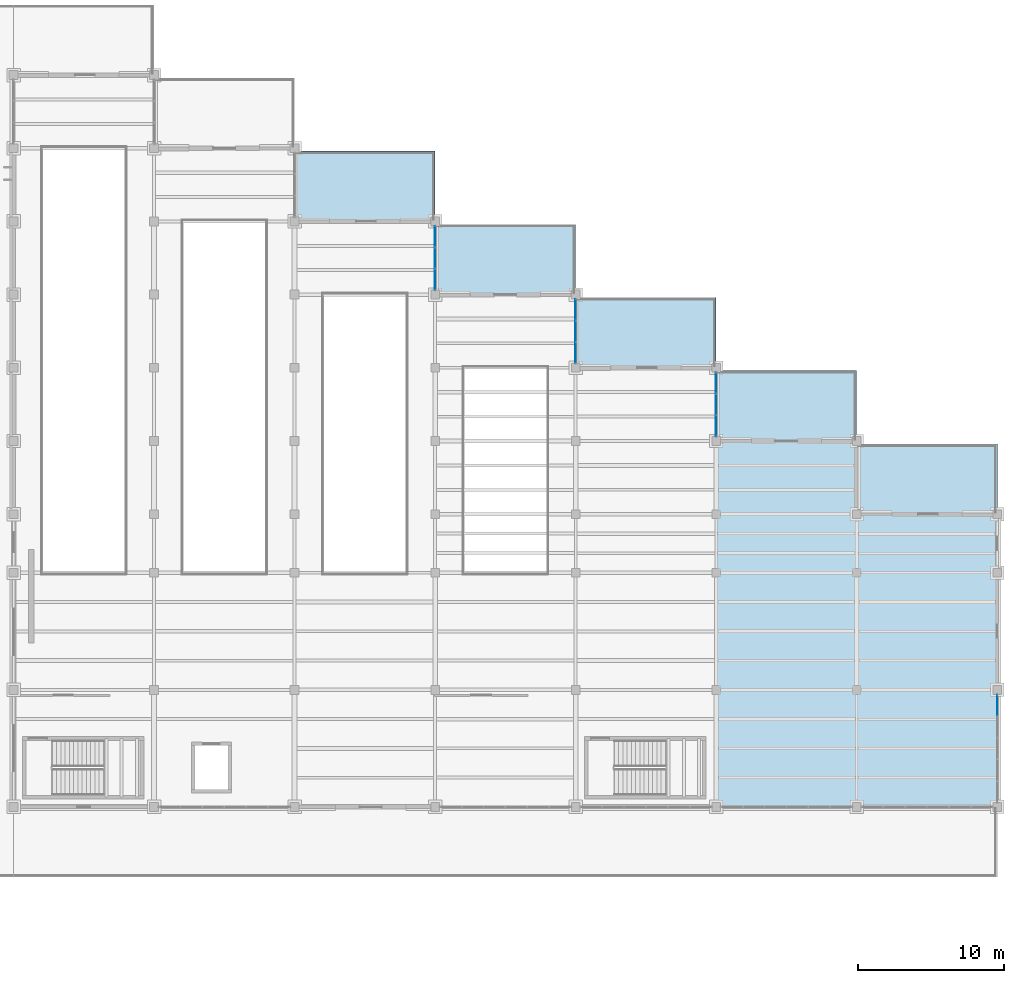
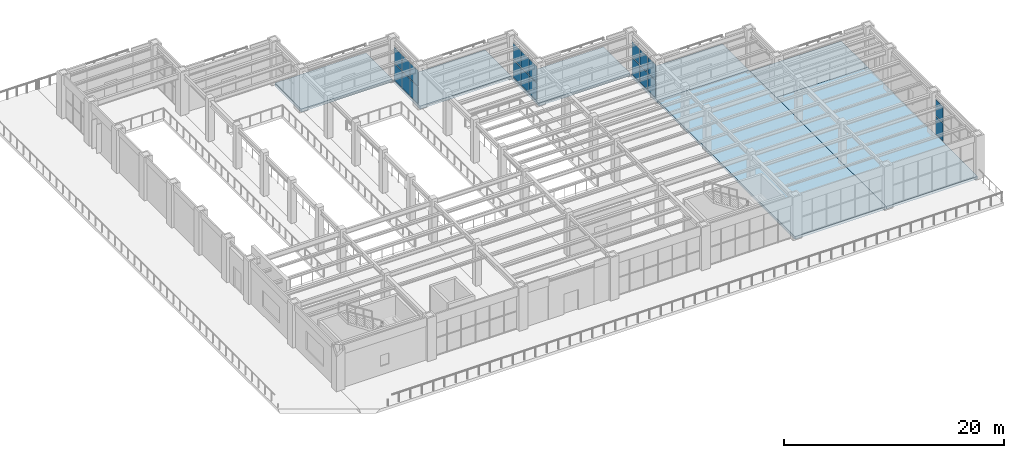
# One storey, part 54 of 83: 20 plates, 7 slabs, 4 elements without a shape of their own.
"""IFC4 building model written with IfcOpenShell, lengths in metres."""

from ifc_helpers import new_model, si_unit, direction, frame, origin, origin_2d, place, context, subcontext, project, spatial, polyline, rectangle, outline, extrude, material, layer, layer_set, type_object, element, aggregate, save


model = new_model("IFC4")

# Units and contexts
model_context = context("Model", 3, precision=1e-05, world=origin(), true_north=direction((0.0, 1.0)))
body_context = subcontext(model_context, "Body", "Model", "MODEL_VIEW")
ifc_project = project(units=[si_unit("LENGTHUNIT", "METRE"), si_unit("AREAUNIT", "SQUARE_METRE"), si_unit("VOLUMEUNIT", "CUBIC_METRE"), si_unit("PLANEANGLEUNIT", "RADIAN"), si_unit("MASSUNIT", "GRAM", prefix="KILO")], contexts=[model_context])

# Site, building, storey
site_placement = place(None, origin())
site = spatial("IfcSite", under=ifc_project, at=site_placement, CompositionType="ELEMENT")
building_placement = place(site_placement, origin())
building = spatial("IfcBuilding", under=site, at=building_placement, Name="Mavantir Sound Aquarium", CompositionType="ELEMENT")
storey_placement = place(building_placement, frame((0.0, 0.0, 10.5)))
storey = spatial("IfcBuildingStorey", under=building, at=storey_placement, Name="L02", CompositionType="ELEMENT", Elevation=10.5)

# Curtain wall, plates
ifc_material_1 = material(Name="Anodised Marine Aluminium and Low-E Glass", Category="aluminium")
curtain_wall_type_1 = type_object("IfcCurtainWallType", Name="CW-T09", PredefinedType="USERDEFINED", material=ifc_material_1)
curtain_wall_1_placement = place(storey_placement, origin())
curtain_wall_1 = element("IfcCurtainWall", 1, at=curtain_wall_1_placement, inside=storey, type_object=curtain_wall_type_1, Name="L02 unitised curtain wall CW-09 129", ObjectType="UNITISED GLAZING", PredefinedType="USERDEFINED")
ifc_material_2 = material(Name="Solar-Control Laminated Low-E Glass", Category="glass")
ifc_layer_1 = layer(ifc_material_2, 0.028076171875, Name="Solar-Control Laminated Low-E Glass")
ifc_layer_set_1 = layer_set([ifc_layer_1], Name="Solar-Control Laminated Low-E Glass")
plate_type_1 = type_object("IfcPlateType", Name="CW-PNL-28", PredefinedType="CURTAIN_PANEL", material=ifc_layer_set_1)
plate_1_placement = place(storey_placement, frame((146.39990234375, 71.838623046875, 0.10302734375), z_axis=(0.0, 0.0, 1.0), x_axis=(0.0, 1.0, 0.0)))
plate_1 = element("IfcPlate", 2, at=plate_1_placement, type_object=plate_type_1, Name="CW-L02-129 glazed curtain panel 1.1", PredefinedType="CURTAIN_PANEL", context=body_context, shape_type="SweptSolid", body=[
    extrude(rectangle(XDim=1.413330078125, YDim=0.028076171875, at=origin_2d()), origin(), (0.0, 0.0, 1.0), 1.922119140625),
])
plate_2_placement = place(storey_placement, frame((146.39990234375, 71.838623046875, 2.121337890625), z_axis=(0.0, 0.0, 1.0), x_axis=(0.0, 1.0, 0.0)))
plate_2 = element("IfcPlate", 3, at=plate_2_placement, type_object=plate_type_1, Name="CW-L02-129 glazed curtain panel 1.2", PredefinedType="CURTAIN_PANEL", context=body_context, shape_type="SweptSolid", body=[
    extrude(rectangle(XDim=1.413330078125, YDim=0.028076171875, at=origin_2d()), origin(), (0.0, 0.0, 1.0), 1.7626953125),
])
plate_3_placement = place(storey_placement, frame((146.39990234375, 73.300048828125, 0.10302734375), z_axis=(0.0, 0.0, 1.0), x_axis=(0.0, 1.0, 0.0)))
plate_3 = element("IfcPlate", 4, at=plate_3_placement, type_object=plate_type_1, Name="CW-L02-129 glazed curtain panel 2.1", PredefinedType="CURTAIN_PANEL", context=body_context, shape_type="SweptSolid", body=[
    extrude(rectangle(XDim=1.413330078125, YDim=0.028076171875, at=origin_2d()), origin(), (0.0, 0.0, 1.0), 1.922119140625),
])
plate_4_placement = place(storey_placement, frame((146.39990234375, 73.300048828125, 2.121337890625), z_axis=(0.0, 0.0, 1.0), x_axis=(0.0, 1.0, 0.0)))
plate_4 = element("IfcPlate", 5, at=plate_4_placement, type_object=plate_type_1, Name="CW-L02-129 glazed curtain panel 2.2", PredefinedType="CURTAIN_PANEL", context=body_context, shape_type="SweptSolid", body=[
    extrude(rectangle(XDim=1.413330078125, YDim=0.028076171875, at=origin_2d()), origin(), (0.0, 0.0, 1.0), 1.7626953125),
])
plate_5_placement = place(storey_placement, frame((146.39990234375, 74.76123046875, 0.10302734375), z_axis=(0.0, 0.0, 1.0), x_axis=(0.0, 1.0, 0.0)))
plate_5 = element("IfcPlate", 6, at=plate_5_placement, type_object=plate_type_1, Name="CW-L02-129 glazed curtain panel 3.1", PredefinedType="CURTAIN_PANEL", context=body_context, shape_type="SweptSolid", body=[
    extrude(rectangle(XDim=1.413330078125, YDim=0.028076171875, at=origin_2d()), origin(), (0.0, 0.0, 1.0), 1.922119140625),
])
plate_6_placement = place(storey_placement, frame((146.39990234375, 74.76123046875, 2.121337890625), z_axis=(0.0, 0.0, 1.0), x_axis=(0.0, 1.0, 0.0)))
plate_6 = element("IfcPlate", 7, at=plate_6_placement, type_object=plate_type_1, Name="CW-L02-129 glazed curtain panel 3.2", PredefinedType="CURTAIN_PANEL", context=body_context, shape_type="SweptSolid", body=[
    extrude(rectangle(XDim=1.413330078125, YDim=0.028076171875, at=origin_2d()), origin(), (0.0, 0.0, 1.0), 1.7626953125),
])
aggregate(curtain_wall_1, [plate_1, plate_2, plate_3, plate_4, plate_5, plate_6])

curtain_wall_type_2 = type_object("IfcCurtainWallType", Name="CW-T19", PredefinedType="USERDEFINED", material=ifc_material_1)
curtain_wall_2_placement = place(storey_placement, origin())
curtain_wall_2 = element("IfcCurtainWall", 8, at=curtain_wall_2_placement, inside=storey, type_object=curtain_wall_type_2, Name="L02 unitised curtain wall CW-19 139", ObjectType="UNITISED GLAZING", PredefinedType="USERDEFINED")
plate_7_placement = place(storey_placement, frame((175.199951171875, 47.753662109375, 0.10302734375), z_axis=(0.0, 0.0, 1.0), x_axis=(0.0, 1.0, 0.0)))
plate_7 = element("IfcPlate", 9, at=plate_7_placement, type_object=plate_type_1, Name="CW-L02-139 glazed curtain panel 5.1", PredefinedType="CURTAIN_PANEL", context=body_context, shape_type="SweptSolid", body=[
    extrude(rectangle(XDim=1.4287109375, YDim=0.028076171875, at=origin_2d()), origin(), (0.0, 0.0, 1.0), 1.94921875),
])
plate_8_placement = place(storey_placement, frame((175.199951171875, 47.753662109375, 2.148193359375), z_axis=(0.0, 0.0, 1.0), x_axis=(0.0, 1.0, 0.0)))
plate_8 = element("IfcPlate", 10, at=plate_8_placement, type_object=plate_type_1, Name="CW-L02-139 glazed curtain panel 5.2", PredefinedType="CURTAIN_PANEL", context=body_context, shape_type="SweptSolid", body=[
    extrude(rectangle(XDim=1.4287109375, YDim=0.028076171875, at=origin_2d()), origin(), (0.0, 0.0, 1.0), 1.78759765625),
])
aggregate(curtain_wall_2, [plate_7, plate_8])

curtain_wall_type_3 = type_object("IfcCurtainWallType", Name="CW-T08", PredefinedType="USERDEFINED", material=ifc_material_1)
curtain_wall_3_placement = place(storey_placement, origin())
curtain_wall_3 = element("IfcCurtainWall", 11, at=curtain_wall_3_placement, inside=storey, type_object=curtain_wall_type_3, Name="L02 unitised curtain wall CW-08 128", ObjectType="UNITISED GLAZING", PredefinedType="USERDEFINED")
ifc_layer_2 = layer(ifc_material_2, 0.031982421875, Name="Solar-Control Laminated Low-E Glass")
ifc_layer_set_2 = layer_set([ifc_layer_2], Name="Solar-Control Laminated Low-E Glass")
plate_type_2 = type_object("IfcPlateType", Name="CW-PNL-32", PredefinedType="CURTAIN_PANEL", material=ifc_layer_set_2)
plate_9_placement = place(storey_placement, frame((156.0, 66.838623046875, 0.10302734375), z_axis=(0.0, 0.0, 1.0), x_axis=(0.0, 1.0, 0.0)))
plate_9 = element("IfcPlate", 12, at=plate_9_placement, type_object=plate_type_2, Name="CW-L02-128 glazed curtain panel 1.1", PredefinedType="CURTAIN_PANEL", context=body_context, shape_type="SweptSolid", body=[
    extrude(rectangle(XDim=1.413330078125, YDim=0.031982421875, at=origin_2d()), origin(), (0.0, 0.0, 1.0), 1.847900390625),
])
plate_10_placement = place(storey_placement, frame((156.0, 66.838623046875, 2.046875), z_axis=(0.0, 0.0, 1.0), x_axis=(0.0, 1.0, 0.0)))
plate_10 = element("IfcPlate", 13, at=plate_10_placement, type_object=plate_type_2, Name="CW-L02-128 glazed curtain panel 1.2", PredefinedType="CURTAIN_PANEL", context=body_context, shape_type="SweptSolid", body=[
    extrude(rectangle(XDim=1.413330078125, YDim=0.031982421875, at=origin_2d()), origin(), (0.0, 0.0, 1.0), 1.694091796875),
])
plate_11_placement = place(storey_placement, frame((156.0, 68.300048828125, 0.10302734375), z_axis=(0.0, 0.0, 1.0), x_axis=(0.0, 1.0, 0.0)))
plate_11 = element("IfcPlate", 14, at=plate_11_placement, type_object=plate_type_2, Name="CW-L02-128 glazed curtain panel 2.1", PredefinedType="CURTAIN_PANEL", context=body_context, shape_type="SweptSolid", body=[
    extrude(rectangle(XDim=1.413330078125, YDim=0.031982421875, at=origin_2d()), origin(), (0.0, 0.0, 1.0), 1.847900390625),
])
plate_12_placement = place(storey_placement, frame((156.0, 68.300048828125, 2.046875), z_axis=(0.0, 0.0, 1.0), x_axis=(0.0, 1.0, 0.0)))
plate_12 = element("IfcPlate", 15, at=plate_12_placement, type_object=plate_type_2, Name="CW-L02-128 glazed curtain panel 2.2", PredefinedType="CURTAIN_PANEL", context=body_context, shape_type="SweptSolid", body=[
    extrude(rectangle(XDim=1.413330078125, YDim=0.031982421875, at=origin_2d()), origin(), (0.0, 0.0, 1.0), 1.694091796875),
])
plate_13_placement = place(storey_placement, frame((156.0, 69.76123046875, 0.10302734375), z_axis=(0.0, 0.0, 1.0), x_axis=(0.0, 1.0, 0.0)))
plate_13 = element("IfcPlate", 16, at=plate_13_placement, type_object=plate_type_2, Name="CW-L02-128 glazed curtain panel 3.1", PredefinedType="CURTAIN_PANEL", context=body_context, shape_type="SweptSolid", body=[
    extrude(rectangle(XDim=1.413330078125, YDim=0.031982421875, at=origin_2d()), origin(), (0.0, 0.0, 1.0), 1.847900390625),
])
plate_14_placement = place(storey_placement, frame((156.0, 69.76123046875, 2.046875), z_axis=(0.0, 0.0, 1.0), x_axis=(0.0, 1.0, 0.0)))
plate_14 = element("IfcPlate", 17, at=plate_14_placement, type_object=plate_type_2, Name="CW-L02-128 glazed curtain panel 3.2", PredefinedType="CURTAIN_PANEL", context=body_context, shape_type="SweptSolid", body=[
    extrude(rectangle(XDim=1.413330078125, YDim=0.031982421875, at=origin_2d()), origin(), (0.0, 0.0, 1.0), 1.694091796875),
])
aggregate(curtain_wall_3, [plate_9, plate_10, plate_11, plate_12, plate_13, plate_14])

curtain_wall_type_4 = type_object("IfcCurtainWallType", Name="CW-T10", PredefinedType="USERDEFINED", material=ifc_material_1)
curtain_wall_4_placement = place(storey_placement, origin())
curtain_wall_4 = element("IfcCurtainWall", 18, at=curtain_wall_4_placement, inside=storey, type_object=curtain_wall_type_4, Name="L02 unitised curtain wall CW-10 130", ObjectType="UNITISED GLAZING", PredefinedType="USERDEFINED")
plate_15_placement = place(storey_placement, frame((136.800048828125, 76.838623046875, 0.10302734375), z_axis=(0.0, 0.0, 1.0), x_axis=(0.0, 1.0, 0.0)))
plate_15 = element("IfcPlate", 19, at=plate_15_placement, type_object=plate_type_2, Name="CW-L02-130 glazed curtain panel 1.1", PredefinedType="CURTAIN_PANEL", context=body_context, shape_type="SweptSolid", body=[
    extrude(rectangle(XDim=1.413330078125, YDim=0.031982421875, at=origin_2d()), origin(), (0.0, 0.0, 1.0), 1.847900390625),
])
plate_16_placement = place(storey_placement, frame((136.800048828125, 76.838623046875, 2.046875), z_axis=(0.0, 0.0, 1.0), x_axis=(0.0, 1.0, 0.0)))
plate_16 = element("IfcPlate", 20, at=plate_16_placement, type_object=plate_type_2, Name="CW-L02-130 glazed curtain panel 1.2", PredefinedType="CURTAIN_PANEL", context=body_context, shape_type="SweptSolid", body=[
    extrude(rectangle(XDim=1.413330078125, YDim=0.031982421875, at=origin_2d()), origin(), (0.0, 0.0, 1.0), 1.694091796875),
])
plate_17_placement = place(storey_placement, frame((136.800048828125, 78.300048828125, 0.10302734375), z_axis=(0.0, 0.0, 1.0), x_axis=(0.0, 1.0, 0.0)))
plate_17 = element("IfcPlate", 21, at=plate_17_placement, type_object=plate_type_2, Name="CW-L02-130 glazed curtain panel 2.1", PredefinedType="CURTAIN_PANEL", context=body_context, shape_type="SweptSolid", body=[
    extrude(rectangle(XDim=1.413330078125, YDim=0.031982421875, at=origin_2d()), origin(), (0.0, 0.0, 1.0), 1.847900390625),
])
plate_18_placement = place(storey_placement, frame((136.800048828125, 78.300048828125, 2.046875), z_axis=(0.0, 0.0, 1.0), x_axis=(0.0, 1.0, 0.0)))
plate_18 = element("IfcPlate", 22, at=plate_18_placement, type_object=plate_type_2, Name="CW-L02-130 glazed curtain panel 2.2", PredefinedType="CURTAIN_PANEL", context=body_context, shape_type="SweptSolid", body=[
    extrude(rectangle(XDim=1.413330078125, YDim=0.031982421875, at=origin_2d()), origin(), (0.0, 0.0, 1.0), 1.694091796875),
])
plate_19_placement = place(storey_placement, frame((136.800048828125, 79.76123046875, 0.10302734375), z_axis=(0.0, 0.0, 1.0), x_axis=(0.0, 1.0, 0.0)))
plate_19 = element("IfcPlate", 23, at=plate_19_placement, type_object=plate_type_2, Name="CW-L02-130 glazed curtain panel 3.1", PredefinedType="CURTAIN_PANEL", context=body_context, shape_type="SweptSolid", body=[
    extrude(rectangle(XDim=1.413330078125, YDim=0.031982421875, at=origin_2d()), origin(), (0.0, 0.0, 1.0), 1.847900390625),
])
plate_20_placement = place(storey_placement, frame((136.800048828125, 79.76123046875, 2.046875), z_axis=(0.0, 0.0, 1.0), x_axis=(0.0, 1.0, 0.0)))
plate_20 = element("IfcPlate", 24, at=plate_20_placement, type_object=plate_type_2, Name="CW-L02-130 glazed curtain panel 3.2", PredefinedType="CURTAIN_PANEL", context=body_context, shape_type="SweptSolid", body=[
    extrude(rectangle(XDim=1.413330078125, YDim=0.031982421875, at=origin_2d()), origin(), (0.0, 0.0, 1.0), 1.694091796875),
])
aggregate(curtain_wall_4, [plate_15, plate_16, plate_17, plate_18, plate_19, plate_20])

# Slabs
ifc_material_3 = material(Name="Concrete C40/50", Category="concrete")
ifc_layer_3 = layer(ifc_material_3, 0.2900390625, Name="Concrete C40/50")
ifc_layer_set_3 = layer_set([ifc_layer_3], Name="Concrete C40/50")
slab_type_1 = type_object("IfcSlabType", Name="SLB-FS-06", PredefinedType="FLOOR", material=ifc_layer_set_3)
slab_1_placement = place(storey_placement, frame((0.0, 0.0, -0.2900390625)))
element("IfcSlab", 25, at=slab_1_placement, inside=storey, type_object=slab_type_1, Name="L02 structural slab FS-06 (V4)", PredefinedType="FLOOR", context=body_context, shape_type="SweptSolid", body=[
    extrude(outline(polyline([(165.60009765625, 40.800048828125), (165.60009765625, 65.800048828125), (156.0, 65.800048828125), (156.0, 40.800048828125), (165.60009765625, 40.800048828125)])), origin(), (0.0, 0.0, 1.0), 0.2900390625),
])
slab_2_placement = place(storey_placement, frame((0.0, 0.0, -0.2900390625)))
element("IfcSlab", 26, at=slab_2_placement, inside=storey, type_object=slab_type_1, Name="L02 structural slab FS-06 (V4)", PredefinedType="FLOOR", context=body_context, shape_type="SweptSolid", body=[
    extrude(outline(polyline([(175.199951171875, 40.800048828125), (175.199951171875, 60.800048828125), (165.60009765625, 60.800048828125), (165.60009765625, 40.800048828125), (175.199951171875, 40.800048828125)])), origin(), (0.0, 0.0, 1.0), 0.2900390625),
])
ifc_layer_4 = layer(ifc_material_3, 0.320068359375, Name="Concrete C40/50")
ifc_layer_set_4 = layer_set([ifc_layer_4], Name="Concrete C40/50")
slab_type_2 = type_object("IfcSlabType", Name="SLB-TRS-02", PredefinedType="FLOOR", material=ifc_layer_set_4)
slab_3_placement = place(storey_placement, frame((0.0, 0.0, -0.320068359375)))
element("IfcSlab", 27, at=slab_3_placement, inside=storey, type_object=slab_type_2, Name="L02 outdoor terrace slab TRS-02", PredefinedType="FLOOR", context=body_context, shape_type="SweptSolid", body=[
    extrude(outline(polyline([(127.199951171875, 80.800048828125), (136.800048828125, 80.800048828125), (136.800048828125, 85.60009765625), (127.199951171875, 85.60009765625), (127.199951171875, 80.800048828125)])), origin(), (0.0, 0.0, 1.0), 0.320068359375),
])
slab_4_placement = place(storey_placement, frame((0.0, 0.0, -0.320068359375)))
element("IfcSlab", 28, at=slab_4_placement, inside=storey, type_object=slab_type_2, Name="L02 outdoor terrace slab TRS-02", PredefinedType="FLOOR", context=body_context, shape_type="SweptSolid", body=[
    extrude(outline(polyline([(136.800048828125, 75.800048828125), (146.39990234375, 75.800048828125), (146.39990234375, 80.60009765625), (136.800048828125, 80.60009765625), (136.800048828125, 75.800048828125)])), origin(), (0.0, 0.0, 1.0), 0.320068359375),
])
slab_5_placement = place(storey_placement, frame((0.0, 0.0, -0.320068359375)))
element("IfcSlab", 29, at=slab_5_placement, inside=storey, type_object=slab_type_2, Name="L02 outdoor terrace slab TRS-02", PredefinedType="FLOOR", context=body_context, shape_type="SweptSolid", body=[
    extrude(outline(polyline([(146.39990234375, 70.800048828125), (156.0, 70.800048828125), (156.0, 75.60009765625), (146.39990234375, 75.60009765625), (146.39990234375, 70.800048828125)])), origin(), (0.0, 0.0, 1.0), 0.320068359375),
])
slab_6_placement = place(storey_placement, frame((0.0, 0.0, -0.320068359375)))
element("IfcSlab", 30, at=slab_6_placement, inside=storey, type_object=slab_type_2, Name="L02 outdoor terrace slab TRS-02", PredefinedType="FLOOR", context=body_context, shape_type="SweptSolid", body=[
    extrude(outline(polyline([(156.0, 65.800048828125), (165.60009765625, 65.800048828125), (165.60009765625, 70.60009765625), (156.0, 70.60009765625), (156.0, 65.800048828125)])), origin(), (0.0, 0.0, 1.0), 0.320068359375),
])
slab_7_placement = place(storey_placement, frame((0.0, 0.0, -0.320068359375)))
element("IfcSlab", 31, at=slab_7_placement, inside=storey, type_object=slab_type_2, Name="L02 outdoor terrace slab TRS-02", PredefinedType="FLOOR", context=body_context, shape_type="SweptSolid", body=[
    extrude(outline(polyline([(165.60009765625, 60.800048828125), (175.199951171875, 60.800048828125), (175.199951171875, 65.60009765625), (165.60009765625, 65.60009765625), (165.60009765625, 60.800048828125)])), origin(), (0.0, 0.0, 1.0), 0.320068359375),
])

save(model, "model.ifc")
